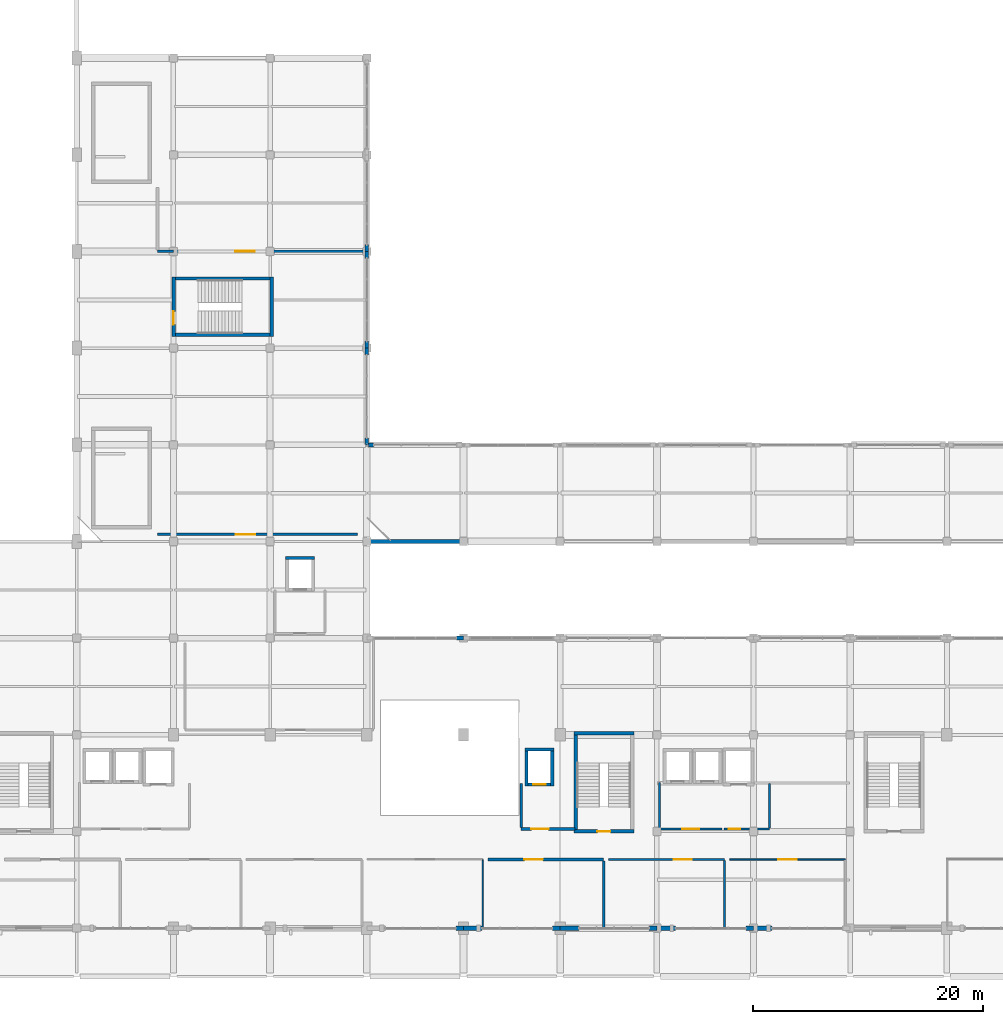
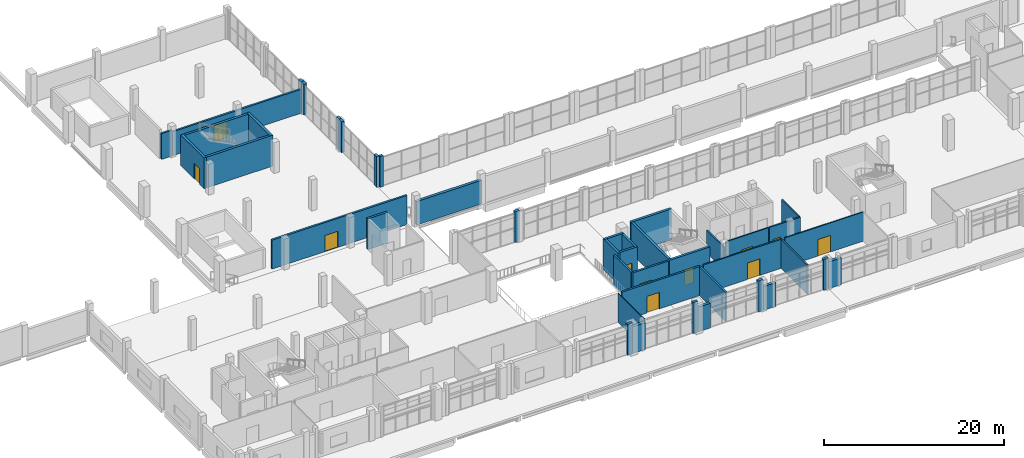
# One storey, part 48 of 59: 43 walls, 11 doors, 11 openings.
"""IFC4 building model written with IfcOpenShell, lengths in metres."""

from ifc_helpers import new_model, si_unit, derived_unit, direction, frame, frame_2d, origin, place, context, subcontext, project, spatial, rectangle, extrude, material, layer, layer_set, type_object, element, fill, save


model = new_model("IFC4")

# Units and contexts
model_context = context("Model", 3, precision=1e-05, world=origin(), true_north=direction((0.0, 1.0)))
body_context = subcontext(model_context, "Body", "Model", "MODEL_VIEW")
ifc_project = project(units=[si_unit("LENGTHUNIT", "METRE"), si_unit("AREAUNIT", "SQUARE_METRE"), si_unit("VOLUMEUNIT", "CUBIC_METRE"), si_unit("PLANEANGLEUNIT", "RADIAN"), si_unit("MASSUNIT", "GRAM", prefix="KILO"), derived_unit("THERMALTRANSMITTANCEUNIT", [(si_unit("POWERUNIT", "WATT"), 1), (si_unit("LENGTHUNIT", "METRE"), -2), (si_unit("THERMODYNAMICTEMPERATUREUNIT", "KELVIN"), -1)])], contexts=[model_context])

# Site, building, storey
site_placement = place(None, origin())
site = spatial("IfcSite", under=ifc_project, at=site_placement, CompositionType="ELEMENT")
building_placement = place(site_placement, origin())
building = spatial("IfcBuilding", under=site, at=building_placement, Name="Barrovel Congress Hotel", CompositionType="ELEMENT")
storey_placement = place(building_placement, frame((0.0, 0.0, 9.89990234375)))
storey = spatial("IfcBuildingStorey", under=building, at=storey_placement, Name="L02", CompositionType="ELEMENT", Elevation=9.89990234375)

# Walls
ifc_material_1 = material(Name="Fired Clay Brick Masonry", Category="masonry")
ifc_layer_1 = layer(ifc_material_1, 0.340087890625)
ifc_layer_set_1 = layer_set([ifc_layer_1], Name="Fired Clay Brick Masonry")
wall_type_1 = type_object("IfcWallType", Name="EW-BRK340", PredefinedType="STANDARD", material=ifc_layer_set_1)
wall_1_placement = place(storey_placement, frame((67.199951171875, 29.39990234375, 0.0), z_axis=(0.0, 0.0, 1.0), x_axis=(-1.0, 0.0, 0.0)))
element("IfcWall", 1, at=wall_1_placement, inside=storey, type_object=wall_type_1, Name="EW:L02:CSJ-R:7", PredefinedType="STANDARD", context=body_context, shape_type="SweptSolid", body=[
    extrude(rectangle(XDim=0.599853515625, YDim=0.340087890625, at=frame_2d((0.2998046875, 0.0))), origin(), (0.0, 0.0, 1.0), 4.2001953125),
])
for number, where, z_axis, x_axis, name in (
    (2, (58.800048828125, 46.199951171875, 0.0), (0.0, 0.0, 1.0), (0.0, 1.0, 0.0), "EW:L02:CWJ-A:46.2"),
    (3, (58.800048828125, 54.0, 0.0), (0.0, 0.0, 1.0), (0.0, 1.0, 0.0), "EW:L02:CWJ-B:46.2"),
):
    element("IfcWall", number, at=place(storey_placement, frame(where, z_axis=z_axis, x_axis=x_axis)), inside=storey, type_object=wall_type_1, Name=name, PredefinedType="STANDARD", context=body_context, shape_type="SweptSolid", body=[
        extrude(rectangle(XDim=0.60009765625, YDim=0.340087890625, at=frame_2d((0.300048828125, 0.0))), origin(), (0.0, 0.0, 1.0), 4.2001953125),
    ])
wall_2_placement = place(storey_placement, frame((58.800048828125, 54.60009765625, 0.0), z_axis=(0.0, 0.0, 1.0), x_axis=(0.0, 1.0, 0.0)))
element("IfcWall", 4, at=wall_2_placement, inside=storey, type_object=wall_type_1, Name="EW:L02:CWJ-A:54.6", PredefinedType="STANDARD", context=body_context, shape_type="SweptSolid", body=[
    extrude(rectangle(XDim=0.599853515625, YDim=0.340087890625, at=frame_2d((0.2998046875, 0.0))), origin(), (0.0, 0.0, 1.0), 4.2001953125),
])
for number, where, z_axis, x_axis, name in (
    (5, (58.800048828125, 62.39990234375, 0.0), (0.0, 0.0, 1.0), (0.0, 1.0, 0.0), "EW:L02:CWJ-B:54.6"),
    (6, (58.800048828125, 63.0, 0.0), (0.0, 0.0, 1.0), (0.0, 1.0, 0.0), "EW:L02:CWJ-A:63.0"),
):
    element("IfcWall", number, at=place(storey_placement, frame(where, z_axis=z_axis, x_axis=x_axis)), inside=storey, type_object=wall_type_1, Name=name, PredefinedType="STANDARD", context=body_context, shape_type="SweptSolid", body=[
        extrude(rectangle(XDim=0.60009765625, YDim=0.340087890625, at=frame_2d((0.300048828125, 0.0))), origin(), (0.0, 0.0, 1.0), 4.2001953125),
    ])
wall_3_placement = place(storey_placement, frame((59.39990234375, 46.199951171875, 0.0), z_axis=(0.0, 0.0, 1.0), x_axis=(-1.0, 0.0, 0.0)))
element("IfcWall", 7, at=wall_3_placement, inside=storey, type_object=wall_type_1, Name="EW:L02:CLJ-R:7", PredefinedType="STANDARD", context=body_context, shape_type="SweptSolid", body=[
    extrude(rectangle(XDim=0.429931640625, YDim=0.340087890625, at=frame_2d((0.21484375, 0.0))), origin(), (0.0, 0.0, 1.0), 4.2001953125),
])
wall_4_placement = place(storey_placement, frame((58.800048828125, 37.800048828125, 0.0), z_axis=(0.0, 0.0, 1.0), x_axis=(1.0, 0.0, 0.0)))
element("IfcWall", 8, at=wall_4_placement, inside=storey, type_object=wall_type_1, Name="EW:L02:CLS:P01", PredefinedType="STANDARD", context=body_context, shape_type="SweptSolid", body=[
    extrude(rectangle(XDim=8.39990234375, YDim=0.340087890625, at=frame_2d((4.199951171875, 0.0))), origin(), (0.0, 0.0, 1.0), 3.210205078125),
])
ifc_layer_2 = layer(ifc_material_1, 0.360107421875)
ifc_layer_set_2 = layer_set([ifc_layer_2], Name="Fired Clay Brick Masonry")
wall_type_2 = type_object("IfcWallType", Name="EW-BRK360", PredefinedType="STANDARD", material=ifc_layer_set_2)
wall_5_placement = place(storey_placement, frame((66.5400390625, 4.199951171875, 0.0), z_axis=(0.0, 0.0, 1.0), x_axis=(1.0, 0.0, 0.0)))
element("IfcWall", 9, at=wall_5_placement, inside=storey, type_object=wall_type_2, Name="EW:L02:SJ-R:7", PredefinedType="STANDARD", context=body_context, shape_type="SweptSolid", body=[
    extrude(rectangle(XDim=0.659912109375, YDim=0.360107421875, at=frame_2d((0.330078125, 0.0))), origin(), (0.0, 0.0, 1.0), 4.2001953125),
])
wall_6_placement = place(storey_placement, frame((67.199951171875, 4.199951171875, 0.0), z_axis=(0.0, 0.0, 1.0), x_axis=(1.0, 0.0, 0.0)))
element("IfcWall", 10, at=wall_6_placement, inside=storey, type_object=wall_type_2, Name="EW:L02:SJ-L:8", PredefinedType="STANDARD", context=body_context, shape_type="SweptSolid", body=[
    extrude(rectangle(XDim=1.6201171875, YDim=0.360107421875, at=frame_2d((0.81005859375, 0.0))), origin(), (0.0, 0.0, 1.0), 3.6552734375),
])
wall_7_placement = place(storey_placement, frame((74.93994140625, 4.199951171875, 0.0), z_axis=(0.0, 0.0, 1.0), x_axis=(1.0, 0.0, 0.0)))
element("IfcWall", 11, at=wall_7_placement, inside=storey, type_object=wall_type_2, Name="EW:L02:SJ-R:8", PredefinedType="STANDARD", context=body_context, shape_type="SweptSolid", body=[
    extrude(rectangle(XDim=0.66015625, YDim=0.360107421875, at=frame_2d((0.330078125, 0.0))), origin(), (0.0, 0.0, 1.0), 4.2001953125),
])
wall_8_placement = place(storey_placement, frame((75.60009765625, 4.199951171875, 0.0), z_axis=(0.0, 0.0, 1.0), x_axis=(1.0, 0.0, 0.0)))
element("IfcWall", 12, at=wall_8_placement, inside=storey, type_object=wall_type_2, Name="EW:L02:SJ-L:9", PredefinedType="STANDARD", context=body_context, shape_type="SweptSolid", body=[
    extrude(rectangle(XDim=1.619873046875, YDim=0.360107421875, at=frame_2d((0.81005859375, 0.0))), origin(), (0.0, 0.0, 1.0), 3.357177734375),
])
wall_9_placement = place(storey_placement, frame((83.340087890625, 4.199951171875, 0.0), z_axis=(0.0, 0.0, 1.0), x_axis=(1.0, 0.0, 0.0)))
element("IfcWall", 13, at=wall_9_placement, inside=storey, type_object=wall_type_2, Name="EW:L02:SJ-R:9", PredefinedType="STANDARD", context=body_context, shape_type="SweptSolid", body=[
    extrude(rectangle(XDim=0.659912109375, YDim=0.360107421875, at=frame_2d((0.330078125, 0.0))), origin(), (0.0, 0.0, 1.0), 4.2001953125),
])
wall_10_placement = place(storey_placement, frame((84.0, 4.199951171875, 0.0), z_axis=(0.0, 0.0, 1.0), x_axis=(1.0, 0.0, 0.0)))
element("IfcWall", 14, at=wall_10_placement, inside=storey, type_object=wall_type_2, Name="EW:L02:SJ-L:10", PredefinedType="STANDARD", context=body_context, shape_type="SweptSolid", body=[
    extrude(rectangle(XDim=1.6201171875, YDim=0.360107421875, at=frame_2d((0.81005859375, 0.0))), origin(), (0.0, 0.0, 1.0), 3.210205078125),
])
wall_11_placement = place(storey_placement, frame((91.739990234375, 4.199951171875, 0.0), z_axis=(0.0, 0.0, 1.0), x_axis=(1.0, 0.0, 0.0)))
element("IfcWall", 15, at=wall_11_placement, inside=storey, type_object=wall_type_2, Name="EW:L02:SJ-R:10", PredefinedType="STANDARD", context=body_context, shape_type="SweptSolid", body=[
    extrude(rectangle(XDim=0.659912109375, YDim=0.360107421875, at=frame_2d((0.330078125, 0.0))), origin(), (0.0, 0.0, 1.0), 4.2001953125),
])
wall_12_placement = place(storey_placement, frame((92.39990234375, 4.199951171875, 0.0), z_axis=(0.0, 0.0, 1.0), x_axis=(1.0, 0.0, 0.0)))
element("IfcWall", 16, at=wall_12_placement, inside=storey, type_object=wall_type_2, Name="EW:L02:SJ-L:11", PredefinedType="STANDARD", context=body_context, shape_type="SweptSolid", body=[
    extrude(rectangle(XDim=1.6201171875, YDim=0.360107421875, at=frame_2d((0.81005859375, 0.0))), origin(), (0.0, 0.0, 1.0), 3.650146484375),
])

# Wall, opening, door
ifc_material_2 = material(Name="Gypsum Acoustic Stud", Category="gypsum")
ifc_layer_3 = layer(ifc_material_2, 0.179931640625)
ifc_layer_set_3 = layer_set([ifc_layer_3], Name="Gypsum Acoustic Stud")
wall_type_3 = type_object("IfcWallType", Name="PW-ACU-180", PredefinedType="PARTITIONING", material=ifc_layer_set_3)
wall_13_placement = place(storey_placement, frame((84.219970703125, 12.820068359375, 0.0), z_axis=(0.0, 0.0, 1.0), x_axis=(1.0, 0.0, 0.0)))
wall_13 = element("IfcWall", 17, at=wall_13_placement, inside=storey, type_object=wall_type_3, Name="RW:SP:L02:LL-C2:S", PredefinedType="PARTITIONING", context=body_context, shape_type="SweptSolid", body=[
    extrude(rectangle(XDim=5.4599609375, YDim=0.179931640625, at=frame_2d((2.72998046875, 0.0))), origin(), (0.0, 0.0, 1.0), 3.955078125),
])
opening_1_placement = place(wall_13_placement, frame((1.97998046875, 0.0, 0.0)))
opening_1 = element("IfcOpeningElement", 18, at=opening_1_placement, cuts=wall_13, Name="Opening ID-FFL", PredefinedType="OPENING", context=body_context, shape_type="SweptSolid", body=[
    extrude(rectangle(XDim=1.5, YDim=2.14990234375, at=frame_2d((0.75, 1.074951171875))), frame((0.0, 0.10009765625, 0.0), z_axis=(0.0, -1.0, 0.0), x_axis=(1.0, 0.0, 0.0)), (0.0, 0.0, 1.0), 0.199951171875),
])
ifc_material_3 = material(Name="Painted Hollow-Metal Steel Door", Category="steel")
door_type_1 = type_object("IfcDoorType", Name="IDR-ID-FFL", OperationType="NOTDEFINED", PredefinedType="DOOR", material=ifc_material_3)
door_1_placement = place(opening_1_placement, origin())
door_1 = element("IfcDoor", 19, at=door_1_placement, inside=storey, type_object=door_type_1, Name="RD:SP:L02:LL-C2", OperationType="DOUBLE_DOOR_SINGLE_SWING", OverallHeight=2.14990234375, OverallWidth=1.5, PredefinedType="DOOR", context=body_context, shape_type="SweptSolid", body=[
    extrude(rectangle(XDim=1.5, YDim=2.14990234375, at=frame_2d((0.75, 1.074951171875))), frame((0.0, 0.02490234375, 0.0), z_axis=(0.0, -1.0, 0.0), x_axis=(1.0, 0.0, 0.0)), (0.0, 0.0, 1.0), 0.050048828125),
])
fill(opening_1, door_1)

# Wall
wall_14_placement = place(storey_placement, frame((84.219970703125, 12.909912109375, 0.0), z_axis=(0.0, 0.0, 1.0), x_axis=(0.0, 1.0, 0.0)))
element("IfcWall", 20, at=wall_14_placement, inside=storey, type_object=wall_type_3, Name="RW:SP:L02:LL-C2:W", PredefinedType="PARTITIONING", context=body_context, shape_type="SweptSolid", body=[
    extrude(rectangle(XDim=3.969970703125, YDim=0.179931640625, at=frame_2d((1.98486328125, 0.0))), origin(), (0.0, 0.0, 1.0), 3.06005859375),
])

# Wall, opening, door
wall_15_placement = place(storey_placement, frame((89.820068359375, 12.820068359375, 0.0), z_axis=(0.0, 0.0, 1.0), x_axis=(1.0, 0.0, 0.0)))
wall_15 = element("IfcWall", 21, at=wall_15_placement, inside=storey, type_object=wall_type_3, Name="RW:SP:L02:LL-SL2:S", PredefinedType="PARTITIONING", context=body_context, shape_type="SweptSolid", body=[
    extrude(rectangle(XDim=3.9599609375, YDim=0.179931640625, at=frame_2d((1.97998046875, 0.0))), origin(), (0.0, 0.0, 1.0), 3.955078125),
])
opening_2_placement = place(wall_15_placement, frame((0.419921875, 0.0, 0.0)))
opening_2 = element("IfcOpeningElement", 22, at=opening_2_placement, cuts=wall_15, Name="Opening ID-ACC", PredefinedType="OPENING", context=body_context, shape_type="SweptSolid", body=[
    extrude(rectangle(XDim=1.02001953125, YDim=2.14990234375, at=frame_2d((0.510009765625, 1.074951171875))), frame((0.0, 0.10009765625, 0.0), z_axis=(0.0, -1.0, 0.0), x_axis=(1.0, 0.0, 0.0)), (0.0, 0.0, 1.0), 0.199951171875),
])
ifc_material_4 = material(Name="Solid Oak Acoustic Timber Door", Category="wood")
door_type_2 = type_object("IfcDoorType", Name="IDR-ID-ACC", OperationType="NOTDEFINED", PredefinedType="DOOR", material=ifc_material_4)
door_2_placement = place(opening_2_placement, origin())
door_2 = element("IfcDoor", 23, at=door_2_placement, inside=storey, type_object=door_type_2, Name="RD:SP:L02:LL-SL2", OperationType="SINGLE_SWING_LEFT", OverallHeight=2.14990234375, OverallWidth=1.02001953125, PredefinedType="DOOR", context=body_context, shape_type="SweptSolid", body=[
    extrude(rectangle(XDim=1.02001953125, YDim=2.14990234375, at=frame_2d((0.510009765625, 1.074951171875))), frame((0.0, 0.02490234375, 0.0), z_axis=(0.0, -1.0, 0.0), x_axis=(1.0, 0.0, 0.0)), (0.0, 0.0, 1.0), 0.050048828125),
])
fill(opening_2, door_2)

# Wall
wall_16_placement = place(storey_placement, frame((93.780029296875, 12.909912109375, 0.0), z_axis=(0.0, 0.0, 1.0), x_axis=(0.0, 1.0, 0.0)))
element("IfcWall", 24, at=wall_16_placement, inside=storey, type_object=wall_type_3, Name="RW:SP:L02:LL-SL2:E", PredefinedType="PARTITIONING", context=body_context, shape_type="SweptSolid", body=[
    extrude(rectangle(XDim=3.8701171875, YDim=0.179931640625, at=frame_2d((1.93505859375, 0.0))), origin(), (0.0, 0.0, 1.0), 3.955078125),
])

# Wall, opening, door
wall_17_placement = place(storey_placement, frame((79.820068359375, 10.179931640625, 0.0), z_axis=(0.0, 0.0, 1.0), x_axis=(1.0, 0.0, 0.0)))
wall_17 = element("IfcWall", 25, at=wall_17_placement, inside=storey, type_object=wall_type_3, Name="RW:SP:L02:BM-15:N", PredefinedType="PARTITIONING", context=body_context, shape_type="SweptSolid", body=[
    extrude(rectangle(XDim=10.059814453125, YDim=0.179931640625, at=frame_2d((5.02978515625, 0.0))), origin(), (0.0, 0.0, 1.0), 3.955078125),
])
opening_3_placement = place(wall_17_placement, frame((5.6298828125, 0.0, 0.0)))
opening_3 = element("IfcOpeningElement", 26, at=opening_3_placement, cuts=wall_17, Name="Opening ID-MTG", PredefinedType="OPENING", context=body_context, shape_type="SweptSolid", body=[
    extrude(rectangle(XDim=1.60009765625, YDim=2.25, at=frame_2d((0.800048828125, 1.125))), frame((0.0, 0.10009765625, 0.0), z_axis=(0.0, -1.0, 0.0), x_axis=(1.0, 0.0, 0.0)), (0.0, 0.0, 1.0), 0.199951171875),
])
door_type_3 = type_object("IfcDoorType", Name="IDR-ID-MTG", OperationType="NOTDEFINED", PredefinedType="DOOR", material=ifc_material_4)
door_3_placement = place(opening_3_placement, origin())
door_3 = element("IfcDoor", 27, at=door_3_placement, inside=storey, type_object=door_type_3, Name="RD:SP:L02:BM-15", OperationType="DOUBLE_DOOR_SINGLE_SWING", OverallHeight=2.25, OverallWidth=1.60009765625, PredefinedType="DOOR", context=body_context, shape_type="SweptSolid", body=[
    extrude(rectangle(XDim=1.60009765625, YDim=2.25, at=frame_2d((0.800048828125, 1.125))), frame((0.0, 0.02490234375, 0.0), z_axis=(0.0, -1.0, 0.0), x_axis=(1.0, 0.0, 0.0)), (0.0, 0.0, 1.0), 0.050048828125),
])
fill(opening_3, door_3)

# Walls
wall_18_placement = place(storey_placement, frame((89.8798828125, 4.280029296875, 0.0), z_axis=(0.0, 0.0, 1.0), x_axis=(0.0, 1.0, 0.0)))
element("IfcWall", 28, at=wall_18_placement, inside=storey, type_object=wall_type_3, Name="RW:SP:L02:BM-15:E", PredefinedType="PARTITIONING", context=body_context, shape_type="SweptSolid", body=[
    extrude(rectangle(XDim=5.81005859375, YDim=0.179931640625, at=frame_2d((2.905029296875, 0.0))), origin(), (0.0, 0.0, 1.0), 3.955078125),
])
ifc_layer_4 = layer(ifc_material_2, 0.10009765625)
ifc_layer_set_4 = layer_set([ifc_layer_4], Name="Gypsum Acoustic Stud")
wall_type_4 = type_object("IfcWallType", Name="PW-LGT-100", PredefinedType="PARTITIONING", material=ifc_layer_set_4)
wall_19_placement = place(storey_placement, frame((68.8798828125, 4.280029296875, 0.0), z_axis=(0.0, 0.0, 1.0), x_axis=(0.0, 1.0, 0.0)))
element("IfcWall", 29, at=wall_19_placement, inside=storey, type_object=wall_type_4, Name="RW:SP:L02:BM-13:E", PredefinedType="PARTITIONING", context=body_context, shape_type="SweptSolid", body=[
    extrude(rectangle(XDim=5.849853515625, YDim=0.10009765625, at=frame_2d((2.9248046875, 0.0))), origin(), (0.0, 0.0, 1.0), 3.955078125),
])

# Wall, opening, door
ifc_layer_5 = layer(ifc_material_1, 0.239990234375)
ifc_layer_set_5 = layer_set([ifc_layer_5], Name="Fired Clay Brick Masonry")
wall_type_5 = type_object("IfcWallType", Name="PW-MAS-240", PredefinedType="PARTITIONING", material=ifc_layer_set_5)
wall_20_placement = place(storey_placement, frame((72.219970703125, 12.820068359375, 0.0), z_axis=(0.0, 0.0, 1.0), x_axis=(1.0, 0.0, 0.0)))
wall_20 = element("IfcWall", 30, at=wall_20_placement, inside=storey, type_object=wall_type_5, Name="RW:SP:L02:FFL-2:S", PredefinedType="PARTITIONING", context=body_context, shape_type="SweptSolid", body=[
    extrude(rectangle(XDim=4.659912109375, YDim=0.239990234375, at=frame_2d((2.330078125, 0.0))), origin(), (0.0, 0.0, 1.0), 3.955078125),
])
opening_4_placement = place(wall_20_placement, frame((0.8798828125, 0.0, 0.0)))
opening_4 = element("IfcOpeningElement", 31, at=opening_4_placement, cuts=wall_20, Name="Opening ID-FFL", PredefinedType="OPENING", context=body_context, shape_type="SweptSolid", body=[
    extrude(rectangle(XDim=1.5, YDim=2.14990234375, at=frame_2d((0.75, 1.074951171875))), frame((0.0, 0.1298828125, 0.0), z_axis=(0.0, -1.0, 0.0), x_axis=(1.0, 0.0, 0.0)), (0.0, 0.0, 1.0), 0.260009765625),
])
door_4_placement = place(opening_4_placement, origin())
door_4 = element("IfcDoor", 32, at=door_4_placement, inside=storey, type_object=door_type_1, Name="RD:SP:L02:FFL-2", OperationType="DOUBLE_DOOR_SINGLE_SWING", OverallHeight=2.14990234375, OverallWidth=1.5, PredefinedType="DOOR", context=body_context, shape_type="SweptSolid", body=[
    extrude(rectangle(XDim=1.5, YDim=2.14990234375, at=frame_2d((0.75, 1.074951171875))), frame((0.0, 0.02490234375, 0.0), z_axis=(0.0, -1.0, 0.0), x_axis=(1.0, 0.0, 0.0)), (0.0, 0.0, 1.0), 0.050048828125),
])
fill(opening_4, door_4)

# Wall
wall_21_placement = place(storey_placement, frame((72.219970703125, 12.93994140625, 0.0), z_axis=(0.0, 0.0, 1.0), x_axis=(0.0, 1.0, 0.0)))
element("IfcWall", 33, at=wall_21_placement, inside=storey, type_object=wall_type_5, Name="RW:SP:L02:FFL-2:W", PredefinedType="PARTITIONING", context=body_context, shape_type="SweptSolid", body=[
    extrude(rectangle(XDim=3.840087890625, YDim=0.239990234375, at=frame_2d((1.919921875, 0.0))), origin(), (0.0, 0.0, 1.0), 3.955078125),
])

# Wall, opening, door
wall_22_placement = place(storey_placement, frame((69.320068359375, 10.179931640625, 0.0), z_axis=(0.0, 0.0, 1.0), x_axis=(1.0, 0.0, 0.0)))
wall_22 = element("IfcWall", 34, at=wall_22_placement, inside=storey, type_object=wall_type_5, Name="RW:SP:L02:BM-14:N", PredefinedType="PARTITIONING", context=body_context, shape_type="SweptSolid", body=[
    extrude(rectangle(XDim=10.059814453125, YDim=0.239990234375, at=frame_2d((5.02978515625, 0.0))), origin(), (0.0, 0.0, 1.0), 3.955078125),
])
opening_5_placement = place(wall_22_placement, frame((3.179931640625, 0.0, 0.0)))
opening_5 = element("IfcOpeningElement", 35, at=opening_5_placement, cuts=wall_22, Name="Opening ID-MTG", PredefinedType="OPENING", context=body_context, shape_type="SweptSolid", body=[
    extrude(rectangle(XDim=1.60009765625, YDim=2.25, at=frame_2d((0.800048828125, 1.125))), frame((0.0, 0.1298828125, 0.0), z_axis=(0.0, -1.0, 0.0), x_axis=(1.0, 0.0, 0.0)), (0.0, 0.0, 1.0), 0.260009765625),
])
door_5_placement = place(opening_5_placement, origin())
door_5 = element("IfcDoor", 36, at=door_5_placement, inside=storey, type_object=door_type_3, Name="RD:SP:L02:BM-14", OperationType="DOUBLE_DOOR_SINGLE_SWING", OverallHeight=2.25, OverallWidth=1.60009765625, PredefinedType="DOOR", context=body_context, shape_type="SweptSolid", body=[
    extrude(rectangle(XDim=1.60009765625, YDim=2.25, at=frame_2d((0.800048828125, 1.125))), frame((0.0, 0.02490234375, 0.0), z_axis=(0.0, -1.0, 0.0), x_axis=(1.0, 0.0, 0.0)), (0.0, 0.0, 1.0), 0.050048828125),
])
fill(opening_5, door_5)

# Wall
wall_23_placement = place(storey_placement, frame((79.3798828125, 4.280029296875, 0.0), z_axis=(0.0, 0.0, 1.0), x_axis=(0.0, 1.0, 0.0)))
element("IfcWall", 37, at=wall_23_placement, inside=storey, type_object=wall_type_5, Name="RW:SP:L02:BM-14:E", PredefinedType="PARTITIONING", context=body_context, shape_type="SweptSolid", body=[
    extrude(rectangle(XDim=5.780029296875, YDim=0.239990234375, at=frame_2d((2.89013671875, 0.0))), origin(), (0.0, 0.0, 1.0), 3.955078125),
])

# Wall, opening, door
wall_24_placement = place(storey_placement, frame((40.6201171875, 38.419921875, 0.0), z_axis=(0.0, 0.0, 1.0), x_axis=(1.0, 0.0, 0.0)))
wall_24 = element("IfcWall", 38, at=wall_24_placement, inside=storey, type_object=wall_type_5, Name="RW:SP:L02:TECH-G:S", PredefinedType="PARTITIONING", context=body_context, shape_type="SweptSolid", body=[
    extrude(rectangle(XDim=17.35986328125, YDim=0.239990234375, at=frame_2d((8.679931640625, 0.0))), origin(), (0.0, 0.0, 1.0), 3.955078125),
])
opening_6_placement = place(wall_24_placement, frame((6.780029296875, 0.0, 0.0)))
opening_6 = element("IfcOpeningElement", 39, at=opening_6_placement, cuts=wall_24, Name="Opening ID-KIT", PredefinedType="OPENING", context=body_context, shape_type="SweptSolid", body=[
    extrude(rectangle(XDim=1.699951171875, YDim=2.199951171875, at=frame_2d((0.85009765625, 1.10009765625))), frame((0.0, 0.1298828125, 0.0), z_axis=(0.0, -1.0, 0.0), x_axis=(1.0, 0.0, 0.0)), (0.0, 0.0, 1.0), 0.260009765625),
])
ifc_material_5 = material(Name="Brushed Stainless Steel", Category="steel")
door_type_4 = type_object("IfcDoorType", Name="IDR-ID-KIT", OperationType="NOTDEFINED", PredefinedType="DOOR", material=ifc_material_5)
door_6_placement = place(opening_6_placement, origin())
door_6 = element("IfcDoor", 40, at=door_6_placement, inside=storey, type_object=door_type_4, Name="RD:SP:L02:TECH-G", OperationType="DOUBLE_DOOR_SINGLE_SWING", OverallHeight=2.199951171875, OverallWidth=1.699951171875, PredefinedType="DOOR", context=body_context, shape_type="SweptSolid", body=[
    extrude(rectangle(XDim=1.699951171875, YDim=2.199951171875, at=frame_2d((0.85009765625, 1.10009765625))), frame((0.0, 0.02490234375, 0.0), z_axis=(0.0, -1.0, 0.0), x_axis=(1.0, 0.0, 0.0)), (0.0, 0.0, 1.0), 0.050048828125),
])
fill(opening_6, door_6)

wall_25_placement = place(storey_placement, frame((42.0, 63.02001953125, 0.0), z_axis=(0.0, 0.0, 1.0), x_axis=(1.0, 0.0, 0.0)))
wall_25 = element("IfcWall", 41, at=wall_25_placement, inside=storey, type_object=wall_type_5, Name="RW:SP:L02:TRANS:S", PredefinedType="PARTITIONING", context=body_context, shape_type="SweptSolid", body=[
    extrude(rectangle(XDim=16.6298828125, YDim=0.239990234375, at=frame_2d((8.31494140625, 0.0))), origin(), (0.0, 0.0, 1.0), 3.260009765625),
])
opening_7_placement = place(wall_25_placement, frame((5.375, 0.0, 0.0)))
opening_7 = element("IfcOpeningElement", 42, at=opening_7_placement, cuts=wall_25, Name="Opening ID-KIT", PredefinedType="OPENING", context=body_context, shape_type="SweptSolid", body=[
    extrude(rectangle(XDim=1.699951171875, YDim=2.199951171875, at=frame_2d((0.85009765625, 1.10009765625))), frame((0.0, 0.1298828125, 0.0), z_axis=(0.0, -1.0, 0.0), x_axis=(1.0, 0.0, 0.0)), (0.0, 0.0, 1.0), 0.260009765625),
])
door_7_placement = place(opening_7_placement, origin())
door_7 = element("IfcDoor", 43, at=door_7_placement, inside=storey, type_object=door_type_4, Name="RD:SP:L02:TRANS", OperationType="DOUBLE_DOOR_SINGLE_SWING", OverallHeight=2.199951171875, OverallWidth=1.699951171875, PredefinedType="DOOR", context=body_context, shape_type="SweptSolid", body=[
    extrude(rectangle(XDim=1.699951171875, YDim=2.199951171875, at=frame_2d((0.85009765625, 1.10009765625))), frame((0.0, 0.02490234375, 0.0), z_axis=(0.0, -1.0, 0.0), x_axis=(1.0, 0.0, 0.0)), (0.0, 0.0, 1.0), 0.050048828125),
])
fill(opening_7, door_7)

# Wall
wall_26_placement = place(storey_placement, frame((40.6201171875, 63.02001953125, 0.0), z_axis=(0.0, 0.0, 1.0), x_axis=(1.0, 0.0, 0.0)))
element("IfcWall", 44, at=wall_26_placement, inside=storey, type_object=wall_type_5, Name="RW:SP:L02:TRANS:S:P01", PredefinedType="PARTITIONING", context=body_context, shape_type="SweptSolid", body=[
    extrude(rectangle(XDim=1.3798828125, YDim=0.239990234375, at=frame_2d((0.68994140625, 0.0))), origin(), (0.0, 0.0, 1.0), 3.5009765625),
])

# Wall, opening, door
ifc_layer_6 = layer(ifc_material_2, 0.14990234375)
ifc_layer_set_6 = layer_set([ifc_layer_6], Name="Gypsum Acoustic Stud")
wall_type_6 = type_object("IfcWallType", Name="PW-STD-150", PredefinedType="PARTITIONING", material=ifc_layer_set_6)
wall_27_placement = place(storey_placement, frame((90.320068359375, 10.179931640625, 0.0), z_axis=(0.0, 0.0, 1.0), x_axis=(1.0, 0.0, 0.0)))
wall_27 = element("IfcWall", 45, at=wall_27_placement, inside=storey, type_object=wall_type_6, Name="RW:SP:L02:BM-16:N", PredefinedType="PARTITIONING", context=body_context, shape_type="SweptSolid", body=[
    extrude(rectangle(XDim=10.059814453125, YDim=0.14990234375, at=frame_2d((5.02978515625, 0.0))), origin(), (0.0, 0.0, 1.0), 3.955078125),
])
opening_8_placement = place(wall_27_placement, frame((4.22998046875, 0.0, 0.0)))
opening_8 = element("IfcOpeningElement", 46, at=opening_8_placement, cuts=wall_27, Name="Opening ID-MTG", PredefinedType="OPENING", context=body_context, shape_type="SweptSolid", body=[
    extrude(rectangle(XDim=1.60009765625, YDim=2.25, at=frame_2d((0.800048828125, 1.125))), frame((0.0, 0.0849609375, 0.0), z_axis=(0.0, -1.0, 0.0), x_axis=(1.0, 0.0, 0.0)), (0.0, 0.0, 1.0), 0.169921875),
])
door_8_placement = place(opening_8_placement, origin())
door_8 = element("IfcDoor", 47, at=door_8_placement, inside=storey, type_object=door_type_3, Name="RD:SP:L02:BM-16", OperationType="DOUBLE_DOOR_SINGLE_SWING", OverallHeight=2.25, OverallWidth=1.60009765625, PredefinedType="DOOR", context=body_context, shape_type="SweptSolid", body=[
    extrude(rectangle(XDim=1.60009765625, YDim=2.25, at=frame_2d((0.800048828125, 1.125))), frame((0.0, 0.02490234375, 0.0), z_axis=(0.0, -1.0, 0.0), x_axis=(1.0, 0.0, 0.0)), (0.0, 0.0, 1.0), 0.050048828125),
])
fill(opening_8, door_8)

ifc_material_6 = material(Name="Concrete C40", Category="concrete")
ifc_layer_7 = layer(ifc_material_6, 0.280029296875)
ifc_layer_set_7 = layer_set([ifc_layer_7], Name="Concrete C40")
wall_type_7 = type_object("IfcWallType", Name="SW-C40-280", PredefinedType="SHEAR", material=ifc_layer_set_7)
wall_28_placement = place(storey_placement, frame((72.5400390625, 16.679931640625, 0.0), z_axis=(0.0, 0.0, 1.0), x_axis=(1.0, 0.0, 0.0)))
wall_28 = element("IfcWall", 48, at=wall_28_placement, inside=storey, type_object=wall_type_7, Name="LSH:FL-2:L02:S", PredefinedType="SHEAR", context=body_context, shape_type="SweptSolid", body=[
    extrude(rectangle(XDim=2.52001953125, YDim=0.280029296875, at=frame_2d((1.260009765625, 0.0))), origin(), (0.0, 0.0, 1.0), 4.2001953125),
])
opening_9_placement = place(wall_28_placement, frame((0.7099609375, 0.0, 0.0)))
opening_9 = element("IfcOpeningElement", 49, at=opening_9_placement, cuts=wall_28, Name="Opening LD-FF", PredefinedType="OPENING", context=body_context, shape_type="SweptSolid", body=[
    extrude(rectangle(XDim=1.10009765625, YDim=2.199951171875, at=frame_2d((0.550048828125, 1.10009765625))), frame((0.0, 0.14990234375, 0.0), z_axis=(0.0, -1.0, 0.0), x_axis=(1.0, 0.0, 0.0)), (0.0, 0.0, 1.0), 0.300048828125),
])
door_type_5 = type_object("IfcDoorType", Name="IDR-LD-FF", OperationType="NOTDEFINED", PredefinedType="DOOR", material=ifc_material_5)
door_9_placement = place(opening_9_placement, origin())
door_9 = element("IfcDoor", 50, at=door_9_placement, inside=storey, type_object=door_type_5, Name="Lift Landing Door LD-FL-2-L02", OperationType="SLIDING_TO_LEFT", OverallHeight=2.199951171875, OverallWidth=1.10009765625, PredefinedType="DOOR", context=body_context, shape_type="SweptSolid", body=[
    extrude(rectangle(XDim=1.10009765625, YDim=2.199951171875, at=frame_2d((0.550048828125, 1.10009765625))), frame((0.0, 0.02490234375, 0.0), z_axis=(0.0, -1.0, 0.0), x_axis=(1.0, 0.0, 0.0)), (0.0, 0.0, 1.0), 0.050048828125),
])
fill(opening_9, door_9)

# Walls
wall_29_placement = place(storey_placement, frame((74.919921875, 16.5400390625, 0.0), z_axis=(0.0, 0.0, 1.0), x_axis=(0.0, 1.0, 0.0)))
element("IfcWall", 51, at=wall_29_placement, inside=storey, type_object=wall_type_7, Name="LSH:FL-2:L02:E", PredefinedType="SHEAR", context=body_context, shape_type="SweptSolid", body=[
    extrude(rectangle(XDim=3.320068359375, YDim=0.280029296875, at=frame_2d((1.66015625, 0.0))), origin(), (0.0, 0.0, 1.0), 4.2001953125),
])
wall_30_placement = place(storey_placement, frame((75.06005859375, 19.719970703125, 0.0), z_axis=(0.0, 0.0, 1.0), x_axis=(-1.0, 0.0, 0.0)))
element("IfcWall", 52, at=wall_30_placement, inside=storey, type_object=wall_type_7, Name="LSH:FL-2:L02:N", PredefinedType="SHEAR", context=body_context, shape_type="SweptSolid", body=[
    extrude(rectangle(XDim=2.52001953125, YDim=0.280029296875, at=frame_2d((1.260009765625, 0.0))), origin(), (0.0, 0.0, 1.0), 4.2001953125),
])
wall_31_placement = place(storey_placement, frame((72.679931640625, 19.860107421875, 0.0), z_axis=(0.0, 0.0, 1.0), x_axis=(0.0, -1.0, 0.0)))
element("IfcWall", 53, at=wall_31_placement, inside=storey, type_object=wall_type_7, Name="LSH:FL-2:L02:W", PredefinedType="SHEAR", context=body_context, shape_type="SweptSolid", body=[
    extrude(rectangle(XDim=3.320068359375, YDim=0.280029296875, at=frame_2d((1.66015625, 0.0))), origin(), (0.0, 0.0, 1.0), 4.2001953125),
])
wall_32_placement = place(storey_placement, frame((54.260009765625, 36.3701171875, 0.0), z_axis=(0.0, 0.0, 1.0), x_axis=(-1.0, 0.0, 0.0)))
element("IfcWall", 54, at=wall_32_placement, inside=storey, type_object=wall_type_7, Name="LSH:CL-1:L02:N", PredefinedType="SHEAR", context=body_context, shape_type="SweptSolid", body=[
    extrude(rectangle(XDim=2.52001953125, YDim=0.280029296875, at=frame_2d((1.260009765625, 0.0))), origin(), (0.0, 0.0, 1.0), 4.2001953125),
])

# Wall, opening, door
ifc_layer_8 = layer(ifc_material_6, 0.300048828125)
ifc_layer_set_8 = layer_set([ifc_layer_8], Name="Concrete C40")
wall_type_8 = type_object("IfcWallType", Name="SW-C40-300", PredefinedType="SHEAR", material=ifc_layer_set_8)
wall_33_placement = place(storey_placement, frame((76.800048828125, 12.610107421875, 0.0), z_axis=(0.0, 0.0, 1.0), x_axis=(1.0, 0.0, 0.0)))
wall_33 = element("IfcWall", 55, at=wall_33_placement, inside=storey, type_object=wall_type_8, Name="SHW:XS-02:L02:S", PredefinedType="SHEAR", context=body_context, shape_type="SweptSolid", body=[
    extrude(rectangle(XDim=5.199951171875, YDim=0.300048828125, at=frame_2d((2.60009765625, 0.0))), origin(), (0.0, 0.0, 1.0), 4.2001953125),
])
opening_10_placement = place(wall_33_placement, frame((2.02490234375, 0.0, 0.0)))
opening_10 = element("IfcOpeningElement", 56, at=opening_10_placement, cuts=wall_33, Name="Opening ID-ST1", PredefinedType="OPENING", context=body_context, shape_type="SweptSolid", body=[
    extrude(rectangle(XDim=1.14990234375, YDim=2.14990234375, at=frame_2d((0.574951171875, 1.074951171875))), frame((0.0, 0.16015625, 0.0), z_axis=(0.0, -1.0, 0.0), x_axis=(1.0, 0.0, 0.0)), (0.0, 0.0, 1.0), 0.320068359375),
])
door_type_6 = type_object("IfcDoorType", Name="IDR-ID-ST1", OperationType="NOTDEFINED", PredefinedType="DOOR", material=ifc_material_3)
door_10_placement = place(opening_10_placement, origin())
door_10 = element("IfcDoor", 57, at=door_10_placement, inside=storey, type_object=door_type_6, Name="Stair Core Fire Door XS-02-L02", OperationType="SINGLE_SWING_LEFT", OverallHeight=2.14990234375, OverallWidth=1.14990234375, PredefinedType="DOOR", context=body_context, shape_type="SweptSolid", body=[
    extrude(rectangle(XDim=1.14990234375, YDim=2.14990234375, at=frame_2d((0.574951171875, 1.074951171875))), frame((0.0, 0.02490234375, 0.0), z_axis=(0.0, -1.0, 0.0), x_axis=(1.0, 0.0, 0.0)), (0.0, 0.0, 1.0), 0.050048828125),
])
fill(opening_10, door_10)

# Walls
wall_34_placement = place(storey_placement, frame((82.0, 21.14990234375, 0.0), z_axis=(0.0, 0.0, 1.0), x_axis=(-1.0, 0.0, 0.0)))
element("IfcWall", 58, at=wall_34_placement, inside=storey, type_object=wall_type_8, Name="SHW:XS-02:L02:N", PredefinedType="SHEAR", context=body_context, shape_type="SweptSolid", body=[
    extrude(rectangle(XDim=5.199951171875, YDim=0.300048828125, at=frame_2d((2.60009765625, 0.0))), origin(), (0.0, 0.0, 1.0), 4.2001953125),
])
wall_35_placement = place(storey_placement, frame((76.949951171875, 21.300048828125, 0.0), z_axis=(0.0, 0.0, 1.0), x_axis=(0.0, -1.0, 0.0)))
element("IfcWall", 59, at=wall_35_placement, inside=storey, type_object=wall_type_8, Name="SHW:XS-02:L02:W", PredefinedType="SHEAR", context=body_context, shape_type="SweptSolid", body=[
    extrude(rectangle(XDim=8.840087890625, YDim=0.300048828125, at=frame_2d((4.419921875, 0.0))), origin(), (0.0, 0.0, 1.0), 4.2001953125),
])
wall_36_placement = place(storey_placement, frame((41.860107421875, 55.75, 0.0), z_axis=(0.0, 0.0, 1.0), x_axis=(1.0, 0.0, 0.0)))
element("IfcWall", 60, at=wall_36_placement, inside=storey, type_object=wall_type_8, Name="SHW:XS-05:L02:S", PredefinedType="SHEAR", context=body_context, shape_type="SweptSolid", body=[
    extrude(rectangle(XDim=8.83984375, YDim=0.300048828125, at=frame_2d((4.419921875, 0.0))), origin(), (0.0, 0.0, 1.0), 4.2001953125),
])
wall_37_placement = place(storey_placement, frame((50.550048828125, 55.60009765625, 0.0), z_axis=(0.0, 0.0, 1.0), x_axis=(0.0, 1.0, 0.0)))
element("IfcWall", 61, at=wall_37_placement, inside=storey, type_object=wall_type_8, Name="SHW:XS-05:L02:E", PredefinedType="SHEAR", context=body_context, shape_type="SweptSolid", body=[
    extrude(rectangle(XDim=5.199951171875, YDim=0.300048828125, at=frame_2d((2.60009765625, 0.0))), origin(), (0.0, 0.0, 1.0), 4.2001953125),
])
wall_38_placement = place(storey_placement, frame((50.699951171875, 60.64990234375, 0.0), z_axis=(0.0, 0.0, 1.0), x_axis=(-1.0, 0.0, 0.0)))
element("IfcWall", 62, at=wall_38_placement, inside=storey, type_object=wall_type_8, Name="SHW:XS-05:L02:N", PredefinedType="SHEAR", context=body_context, shape_type="SweptSolid", body=[
    extrude(rectangle(XDim=8.83984375, YDim=0.300048828125, at=frame_2d((4.419921875, 0.0))), origin(), (0.0, 0.0, 1.0), 4.2001953125),
])

# Wall, opening, door
wall_39_placement = place(storey_placement, frame((42.010009765625, 60.800048828125, 0.0), z_axis=(0.0, 0.0, 1.0), x_axis=(0.0, -1.0, 0.0)))
wall_39 = element("IfcWall", 63, at=wall_39_placement, inside=storey, type_object=wall_type_8, Name="SHW:XS-05:L02:W", PredefinedType="SHEAR", context=body_context, shape_type="SweptSolid", body=[
    extrude(rectangle(XDim=5.199951171875, YDim=0.300048828125, at=frame_2d((2.60009765625, 0.0))), origin(), (0.0, 0.0, 1.0), 4.2001953125),
])
opening_11_placement = place(wall_39_placement, frame((3.0, 0.0, 0.0)))
opening_11 = element("IfcOpeningElement", 64, at=opening_11_placement, cuts=wall_39, Name="Opening ID-ST1", PredefinedType="OPENING", context=body_context, shape_type="SweptSolid", body=[
    extrude(rectangle(XDim=1.14990234375, YDim=2.14990234375, at=frame_2d((0.574951171875, 1.074951171875))), frame((0.0, 0.16015625, 0.0), z_axis=(0.0, -1.0, 0.0), x_axis=(1.0, 0.0, 0.0)), (0.0, 0.0, 1.0), 0.320068359375),
])
door_11_placement = place(opening_11_placement, origin())
door_11 = element("IfcDoor", 65, at=door_11_placement, inside=storey, type_object=door_type_6, Name="Stair Core Fire Door XS-05-L02", OperationType="SINGLE_SWING_LEFT", OverallHeight=2.14990234375, OverallWidth=1.14990234375, PredefinedType="DOOR", context=body_context, shape_type="SweptSolid", body=[
    extrude(rectangle(XDim=1.14990234375, YDim=2.14990234375, at=frame_2d((0.574951171875, 1.074951171875))), frame((0.0, 0.02490234375, 0.0), z_axis=(0.0, -1.0, 0.0), x_axis=(1.0, 0.0, 0.0)), (0.0, 0.0, 1.0), 0.050048828125),
])
fill(opening_11, door_11)

save(model, "model.ifc")
